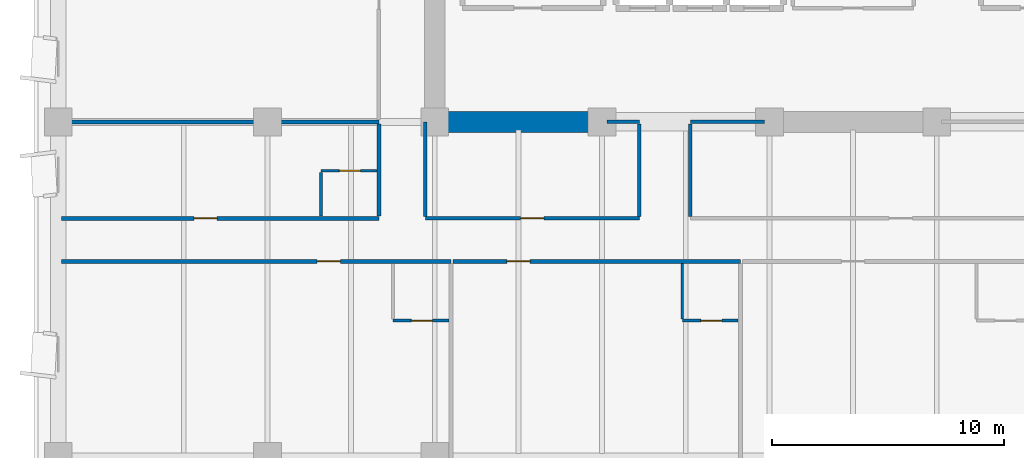
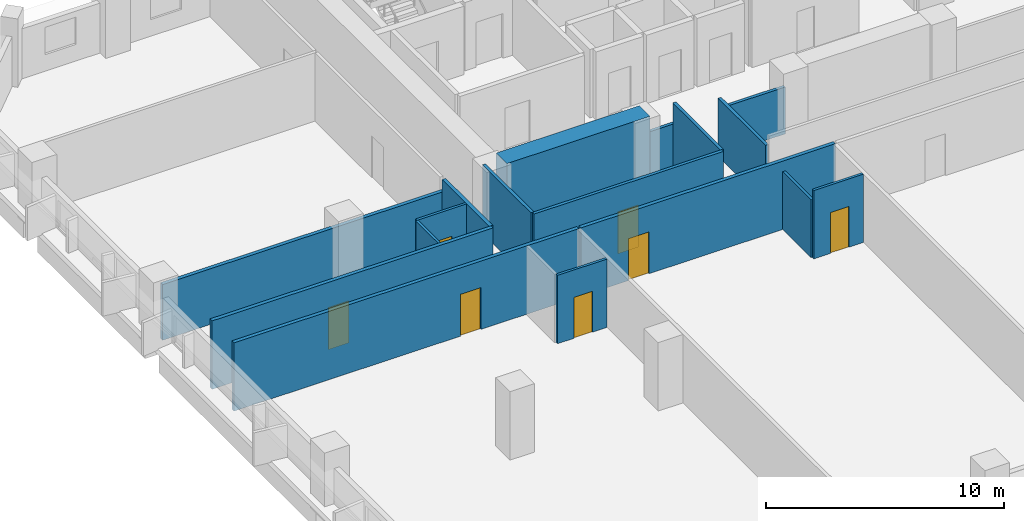
# One storey, part 4 of 15: 17 walls, 7 doors, 7 openings.
"""IFC4 building model written with IfcOpenShell, lengths in metres."""

from ifc_helpers import new_model, si_unit, direction, frame, frame_2d, origin, place, context, subcontext, project, spatial, rectangle, extrude, material, layer, layer_set, type_object, element, fill, save


model = new_model("IFC4")

# Units and contexts
model_context = context("Model", 3, precision=1e-05, world=origin(), true_north=direction((0.0, 1.0)))
body_context = subcontext(model_context, "Body", "Model", "MODEL_VIEW")
ifc_project = project(units=[si_unit("LENGTHUNIT", "METRE"), si_unit("AREAUNIT", "SQUARE_METRE"), si_unit("VOLUMEUNIT", "CUBIC_METRE"), si_unit("PLANEANGLEUNIT", "RADIAN"), si_unit("MASSUNIT", "GRAM", prefix="KILO")], contexts=[model_context])

# Site, building, storey
site_placement = place(None, origin())
site = spatial("IfcSite", under=ifc_project, at=site_placement, CompositionType="ELEMENT")
building_placement = place(site_placement, origin())
building = spatial("IfcBuilding", under=site, at=building_placement, Name="Kaelvorn Grand Hotel", CompositionType="ELEMENT")
storey_placement = place(building_placement, frame((0.0, 0.0, 111.800048828125)))
storey = spatial("IfcBuildingStorey", under=building, at=storey_placement, Name="L26", CompositionType="ELEMENT", Elevation=111.800048828125)

# Wall
ifc_material_1 = material(Name="Concrete C60/75", Category="concrete")
ifc_layer_1 = layer(ifc_material_1, 0.89990234375)
ifc_layer_set_1 = layer_set([ifc_layer_1], Name="Concrete C60/75")
wall_type_1 = type_object("IfcWallType", Name="WL-CORE-900-C60", PredefinedType="SHEAR", material=ifc_layer_set_1)
wall_1_placement = place(storey_placement, frame((16.655029296875, 29.39990234375, 0.0), z_axis=(0.0, 0.0, 1.0), x_axis=(1.0, 0.0, 0.0)))
element("IfcWall", 1, at=wall_1_placement, inside=storey, type_object=wall_type_1, Name="L26 Rear-Core Coupled Shear Pier S1", PredefinedType="SHEAR", context=body_context, shape_type="SweptSolid", body=[
    extrude(rectangle(XDim=6.945068359375, YDim=0.89990234375, at=frame_2d((3.47265625, 0.0))), origin(), (0.0, 0.0, 1.0), 3.510009765625),
])

# Wall, opening, door
ifc_material_2 = material(Name="Moisture-Resistant Tile & Stud Board")
ifc_layer_2 = layer(ifc_material_2, 0.125)
ifc_layer_set_2 = layer_set([ifc_layer_2], Name="Moisture-Resistant Tile & Stud Board")
wall_type_2 = type_object("IfcWallType", Name="WL-PART-125-WET", PredefinedType="PARTITIONING", material=ifc_layer_set_2)
wall_2_placement = place(storey_placement, frame((14.399658203125, 20.85009765625, 0.0), z_axis=(0.0, 0.0, 1.0), x_axis=(1.0, 0.0, 0.0)))
wall_2 = element("IfcWall", 2, at=wall_2_placement, inside=storey, type_object=wall_type_2, Name="L26 En-suite Bathroom L26-01 S Partition", PredefinedType="PARTITIONING", context=body_context, shape_type="SweptSolid", body=[
    extrude(rectangle(XDim=2.405029296875, YDim=0.125, at=frame_2d((1.20263671875, 0.0))), origin(), (0.0, 0.0, 1.0), 3.510009765625),
])
opening_1_placement = place(wall_2_placement, frame((0.800048828125, 0.0, 0.0)))
opening_1 = element("IfcOpeningElement", 3, at=opening_1_placement, cuts=wall_2, Name="Opening DI4", PredefinedType="OPENING", context=body_context, shape_type="SweptSolid", body=[
    extrude(rectangle(XDim=0.89990234375, YDim=2.10009765625, at=frame_2d((0.449951171875, 1.050048828125))), frame((0.0, 0.072509765625, 0.0), z_axis=(0.0, -1.0, 0.0), x_axis=(1.0, 0.0, 0.0)), (0.0, 0.0, 1.0), 0.14501953125),
])
ifc_material_3 = material(Name="Timber Veneer Leaf", Category="wood")
door_type_1 = type_object("IfcDoorType", Name="DR-INT-BATH-900x2100", OperationType="NOTDEFINED", PredefinedType="DOOR", material=ifc_material_3)
door_1_placement = place(opening_1_placement, origin())
door_1 = element("IfcDoor", 4, at=door_1_placement, inside=storey, type_object=door_type_1, Name="L26 En-suite Bathroom L26-01 Door", OperationType="SINGLE_SWING_LEFT", OverallHeight=2.10009765625, OverallWidth=0.89990234375, PredefinedType="DOOR", context=body_context, shape_type="SweptSolid", body=[
    extrude(rectangle(XDim=0.89990234375, YDim=2.10009765625, at=frame_2d((0.449951171875, 1.050048828125))), frame((0.0, 0.02490234375, 0.0), z_axis=(0.0, -1.0, 0.0), x_axis=(1.0, 0.0, 0.0)), (0.0, 0.0, 1.0), 0.050048828125),
])
fill(opening_1, door_1)

wall_3_placement = place(storey_placement, frame((26.849609375, 20.85009765625, 0.0), z_axis=(0.0, 0.0, 1.0), x_axis=(1.0, 0.0, 0.0)))
wall_3 = element("IfcWall", 5, at=wall_3_placement, inside=storey, type_object=wall_type_2, Name="L26 En-suite Bathroom L26-02 S Partition", PredefinedType="PARTITIONING", context=body_context, shape_type="SweptSolid", body=[
    extrude(rectangle(XDim=2.40478515625, YDim=0.125, at=frame_2d((1.202392578125, 0.0))), origin(), (0.0, 0.0, 1.0), 3.510009765625),
])
opening_2_placement = place(wall_3_placement, frame((0.800048828125, 0.0, 0.0)))
opening_2 = element("IfcOpeningElement", 6, at=opening_2_placement, cuts=wall_3, Name="Opening DI4", PredefinedType="OPENING", context=body_context, shape_type="SweptSolid", body=[
    extrude(rectangle(XDim=0.89990234375, YDim=2.10009765625, at=frame_2d((0.449951171875, 1.050048828125))), frame((0.0, 0.072509765625, 0.0), z_axis=(0.0, -1.0, 0.0), x_axis=(1.0, 0.0, 0.0)), (0.0, 0.0, 1.0), 0.14501953125),
])
door_2_placement = place(opening_2_placement, origin())
door_2 = element("IfcDoor", 7, at=door_2_placement, inside=storey, type_object=door_type_1, Name="L26 En-suite Bathroom L26-02 Door", OperationType="SINGLE_SWING_LEFT", OverallHeight=2.10009765625, OverallWidth=0.89990234375, PredefinedType="DOOR", context=body_context, shape_type="SweptSolid", body=[
    extrude(rectangle(XDim=0.89990234375, YDim=2.10009765625, at=frame_2d((0.449951171875, 1.050048828125))), frame((0.0, 0.02490234375, 0.0), z_axis=(0.0, -1.0, 0.0), x_axis=(1.0, 0.0, 0.0)), (0.0, 0.0, 1.0), 0.050048828125),
])
fill(opening_2, door_2)

# Wall
wall_4_placement = place(storey_placement, frame((26.849609375, 20.91748046875, 0.0), z_axis=(0.0, 0.0, 1.0), x_axis=(0.0, 1.0, 0.0)))
element("IfcWall", 8, at=wall_4_placement, inside=storey, type_object=wall_type_2, Name="L26 En-suite Bathroom L26-02 W Partition", PredefinedType="PARTITIONING", context=body_context, shape_type="SweptSolid", body=[
    extrude(rectangle(XDim=2.387451171875, YDim=0.125, at=frame_2d((1.19384765625, 0.0))), origin(), (0.0, 0.0, 1.0), 2.976806640625),
])

# Wall, opening, door
wall_5_placement = place(storey_placement, frame((11.300048828125, 27.300048828125, 0.0), z_axis=(0.0, 0.0, 1.0), x_axis=(1.0, 0.0, 0.0)))
wall_5 = element("IfcWall", 9, at=wall_5_placement, inside=storey, type_object=wall_type_2, Name="L26 En-suite Bathroom L26-07 N Partition", PredefinedType="PARTITIONING", context=body_context, shape_type="SweptSolid", body=[
    extrude(rectangle(XDim=2.405029296875, YDim=0.125, at=frame_2d((1.20263671875, 0.0))), origin(), (0.0, 0.0, 1.0), 3.510009765625),
])
opening_3_placement = place(wall_5_placement, frame((0.800048828125, 0.0, 0.0)))
opening_3 = element("IfcOpeningElement", 10, at=opening_3_placement, cuts=wall_5, Name="Opening DI4", PredefinedType="OPENING", context=body_context, shape_type="SweptSolid", body=[
    extrude(rectangle(XDim=0.89990234375, YDim=2.10009765625, at=frame_2d((0.449951171875, 1.050048828125))), frame((0.0, 0.072509765625, 0.0), z_axis=(0.0, -1.0, 0.0), x_axis=(1.0, 0.0, 0.0)), (0.0, 0.0, 1.0), 0.14501953125),
])
door_3_placement = place(opening_3_placement, origin())
door_3 = element("IfcDoor", 11, at=door_3_placement, inside=storey, type_object=door_type_1, Name="L26 En-suite Bathroom L26-07 Door", OperationType="SINGLE_SWING_LEFT", OverallHeight=2.10009765625, OverallWidth=0.89990234375, PredefinedType="DOOR", context=body_context, shape_type="SweptSolid", body=[
    extrude(rectangle(XDim=0.89990234375, YDim=2.10009765625, at=frame_2d((0.449951171875, 1.050048828125))), frame((0.0, 0.02490234375, 0.0), z_axis=(0.0, -1.0, 0.0), x_axis=(1.0, 0.0, 0.0)), (0.0, 0.0, 1.0), 0.050048828125),
])
fill(opening_3, door_3)

# Wall
wall_6_placement = place(storey_placement, frame((11.300048828125, 25.344970703125, 0.0), z_axis=(0.0, 0.0, 1.0), x_axis=(0.0, 1.0, 0.0)))
element("IfcWall", 12, at=wall_6_placement, inside=storey, type_object=wall_type_2, Name="L26 En-suite Bathroom L26-07 W Partition", PredefinedType="PARTITIONING", context=body_context, shape_type="SweptSolid", body=[
    extrude(rectangle(XDim=1.887451171875, YDim=0.125, at=frame_2d((0.94384765625, 0.0))), origin(), (0.0, 0.0, 1.0), 3.510009765625),
])

# Wall, opening, door
ifc_material_4 = material(Name="Acoustic Gypsum & Stud Partition")
ifc_layer_3 = layer(ifc_material_4, 0.14990234375)
ifc_layer_set_3 = layer_set([ifc_layer_3], Name="Acoustic Gypsum & Stud Partition")
wall_type_3 = type_object("IfcWallType", Name="WL-PART-150-EI60", PredefinedType="PARTITIONING", material=ifc_layer_set_3)
wall_7_placement = place(storey_placement, frame((15.800048828125, 25.25, 0.0), z_axis=(0.0, 0.0, 1.0), x_axis=(1.0, 0.0, 0.0)))
wall_7 = element("IfcWall", 13, at=wall_7_placement, inside=storey, type_object=wall_type_3, Name="L26 Botanical Conservatory Salon S Partition", PredefinedType="PARTITIONING", context=body_context, shape_type="SweptSolid", body=[
    extrude(rectangle(XDim=9.199951171875, YDim=0.14990234375, at=frame_2d((4.60009765625, 0.0))), origin(), (0.0, 0.0, 1.0), 3.510009765625),
])
opening_4_placement = place(wall_7_placement, frame((4.10009765625, 0.0, 0.0)))
opening_4 = element("IfcOpeningElement", 14, at=opening_4_placement, cuts=wall_7, Name="Opening DI3", PredefinedType="OPENING", context=body_context, shape_type="SweptSolid", body=[
    extrude(rectangle(XDim=1.0, YDim=2.14990234375, at=frame_2d((0.5, 1.074951171875))), frame((0.0, 0.0849609375, 0.0), z_axis=(0.0, -1.0, 0.0), x_axis=(1.0, 0.0, 0.0)), (0.0, 0.0, 1.0), 0.169921875),
])
ifc_material_5 = material(Name="Timber Veneer Fire Leaf", Category="wood")
door_type_2 = type_object("IfcDoorType", Name="DR-INT-GUEST-1000x2150", OperationType="NOTDEFINED", PredefinedType="DOOR", material=ifc_material_5)
door_4_placement = place(opening_4_placement, origin())
door_4 = element("IfcDoor", 15, at=door_4_placement, inside=storey, type_object=door_type_2, Name="L26 Botanical Conservatory Salon Door", OperationType="SINGLE_SWING_RIGHT", OverallHeight=2.14990234375, OverallWidth=1.0, PredefinedType="DOOR", context=body_context, shape_type="SweptSolid", body=[
    extrude(rectangle(XDim=1.0, YDim=2.14990234375, at=frame_2d((0.5, 1.074951171875))), frame((0.0, 0.02490234375, 0.0), z_axis=(0.0, -1.0, 0.0), x_axis=(1.0, 0.0, 0.0)), (0.0, 0.0, 1.0), 0.050048828125),
])
fill(opening_4, door_4)

# Walls
wall_8_placement = place(storey_placement, frame((23.610107421875, 29.39990234375, 0.0), z_axis=(0.0, 0.0, 1.0), x_axis=(1.0, 0.0, 0.0)))
element("IfcWall", 16, at=wall_8_placement, inside=storey, type_object=wall_type_3, Name="L26 Botanical Conservatory Salon N Partition", PredefinedType="PARTITIONING", context=body_context, shape_type="SweptSolid", body=[
    extrude(rectangle(XDim=1.389892578125, YDim=0.14990234375, at=frame_2d((0.69482421875, 0.0))), origin(), (0.0, 0.0, 1.0), 2.409912109375),
])
wall_9_placement = place(storey_placement, frame((15.800048828125, 25.330078125, 0.0), z_axis=(0.0, 0.0, 1.0), x_axis=(0.0, 1.0, 0.0)))
element("IfcWall", 17, at=wall_9_placement, inside=storey, type_object=wall_type_3, Name="L26 Botanical Conservatory Salon W Partition", PredefinedType="PARTITIONING", context=body_context, shape_type="SweptSolid", body=[
    extrude(rectangle(XDim=4.059814453125, YDim=0.14990234375, at=frame_2d((2.02978515625, 0.0))), origin(), (0.0, 0.0, 1.0), 3.510009765625),
])
wall_10_placement = place(storey_placement, frame((25.0, 25.330078125, 0.0), z_axis=(0.0, 0.0, 1.0), x_axis=(0.0, 1.0, 0.0)))
element("IfcWall", 18, at=wall_10_placement, inside=storey, type_object=wall_type_3, Name="L26 Botanical Conservatory Salon E Partition", PredefinedType="PARTITIONING", context=body_context, shape_type="SweptSolid", body=[
    extrude(rectangle(XDim=3.989990234375, YDim=0.14990234375, at=frame_2d((1.9951171875, 0.0))), origin(), (0.0, 0.0, 1.0), 3.510009765625),
])
wall_11_placement = place(storey_placement, frame((27.199951171875, 29.39990234375, 0.0), z_axis=(0.0, 0.0, 1.0), x_axis=(1.0, 0.0, 0.0)))
element("IfcWall", 19, at=wall_11_placement, inside=storey, type_object=wall_type_3, Name="L26 Catering Servery Kitchen N Partition (1)", PredefinedType="PARTITIONING", context=body_context, shape_type="SweptSolid", body=[
    extrude(rectangle(XDim=3.18994140625, YDim=0.14990234375, at=frame_2d((1.594970703125, 0.0))), origin(), (0.0, 0.0, 1.0), 2.409912109375),
])
wall_12_placement = place(storey_placement, frame((27.199951171875, 25.330078125, 0.0), z_axis=(0.0, 0.0, 1.0), x_axis=(0.0, 1.0, 0.0)))
element("IfcWall", 20, at=wall_12_placement, inside=storey, type_object=wall_type_3, Name="L26 Catering Servery Kitchen W Partition", PredefinedType="PARTITIONING", context=body_context, shape_type="SweptSolid", body=[
    extrude(rectangle(XDim=3.989990234375, YDim=0.14990234375, at=frame_2d((1.9951171875, 0.0))), origin(), (0.0, 0.0, 1.0), 2.976806640625),
])

# Wall, opening, door
ifc_layer_4 = layer(ifc_material_4, 0.179931640625)
ifc_layer_set_4 = layer_set([ifc_layer_4], Name="Acoustic Gypsum & Stud Partition")
wall_type_4 = type_object("IfcWallType", Name="WL-PART-180-EI60", PredefinedType="PARTITIONING", material=ifc_layer_set_4)
wall_13_placement = place(storey_placement, frame((0.14990234375, 23.39990234375, 0.0), z_axis=(0.0, 0.0, 1.0), x_axis=(1.0, 0.0, 0.0)))
wall_13 = element("IfcWall", 21, at=wall_13_placement, inside=storey, type_object=wall_type_4, Name="L26 Presidential Sky Suite L26-01 N Partition", PredefinedType="PARTITIONING", context=body_context, shape_type="SweptSolid", body=[
    extrude(rectangle(XDim=16.749755859375, YDim=0.179931640625, at=frame_2d((8.375, 0.0))), origin(), (0.0, 0.0, 1.0), 3.510009765625),
])
opening_5_placement = place(wall_13_placement, frame((10.98974609375, 0.0, 0.0)))
opening_5 = element("IfcOpeningElement", 22, at=opening_5_placement, cuts=wall_13, Name="Opening DI3", PredefinedType="OPENING", context=body_context, shape_type="SweptSolid", body=[
    extrude(rectangle(XDim=1.0, YDim=2.14990234375, at=frame_2d((0.5, 1.074951171875))), frame((0.0, 0.10009765625, 0.0), z_axis=(0.0, -1.0, 0.0), x_axis=(1.0, 0.0, 0.0)), (0.0, 0.0, 1.0), 0.199951171875),
])
door_5_placement = place(opening_5_placement, origin())
door_5 = element("IfcDoor", 23, at=door_5_placement, inside=storey, type_object=door_type_2, Name="L26 Presidential Sky Suite L26-01 Door", OperationType="SINGLE_SWING_RIGHT", OverallHeight=2.14990234375, OverallWidth=1.0, PredefinedType="DOOR", context=body_context, shape_type="SweptSolid", body=[
    extrude(rectangle(XDim=1.0, YDim=2.14990234375, at=frame_2d((0.5, 1.074951171875))), frame((0.0, 0.02490234375, 0.0), z_axis=(0.0, -1.0, 0.0), x_axis=(1.0, 0.0, 0.0)), (0.0, 0.0, 1.0), 0.050048828125),
])
fill(opening_5, door_5)

wall_14_placement = place(storey_placement, frame((16.99462890625, 23.39990234375, 0.0), z_axis=(0.0, 0.0, 1.0), x_axis=(1.0, 0.0, 0.0)))
wall_14 = element("IfcWall", 24, at=wall_14_placement, inside=storey, type_object=wall_type_4, Name="L26 Presidential Sky Suite L26-02 N Partition", PredefinedType="PARTITIONING", context=body_context, shape_type="SweptSolid", body=[
    extrude(rectangle(XDim=12.35498046875, YDim=0.179931640625, at=frame_2d((6.177490234375, 0.0))), origin(), (0.0, 0.0, 1.0), 3.510009765625),
])
opening_6_placement = place(wall_14_placement, frame((2.305419921875, 0.0, 0.0)))
opening_6 = element("IfcOpeningElement", 25, at=opening_6_placement, cuts=wall_14, Name="Opening DI3", PredefinedType="OPENING", context=body_context, shape_type="SweptSolid", body=[
    extrude(rectangle(XDim=1.0, YDim=2.14990234375, at=frame_2d((0.5, 1.074951171875))), frame((0.0, 0.10009765625, 0.0), z_axis=(0.0, -1.0, 0.0), x_axis=(1.0, 0.0, 0.0)), (0.0, 0.0, 1.0), 0.199951171875),
])
door_6_placement = place(opening_6_placement, origin())
door_6 = element("IfcDoor", 26, at=door_6_placement, inside=storey, type_object=door_type_2, Name="L26 Presidential Sky Suite L26-02 Door", OperationType="SINGLE_SWING_RIGHT", OverallHeight=2.14990234375, OverallWidth=1.0, PredefinedType="DOOR", context=body_context, shape_type="SweptSolid", body=[
    extrude(rectangle(XDim=1.0, YDim=2.14990234375, at=frame_2d((0.5, 1.074951171875))), frame((0.0, 0.02490234375, 0.0), z_axis=(0.0, -1.0, 0.0), x_axis=(1.0, 0.0, 0.0)), (0.0, 0.0, 1.0), 0.050048828125),
])
fill(opening_6, door_6)

wall_15_placement = place(storey_placement, frame((0.14990234375, 25.25, 0.0), z_axis=(0.0, 0.0, 1.0), x_axis=(1.0, 0.0, 0.0)))
wall_15 = element("IfcWall", 27, at=wall_15_placement, inside=storey, type_object=wall_type_4, Name="L26 West Chamfer Corner Suite L26-07 S Partition", PredefinedType="PARTITIONING", context=body_context, shape_type="SweptSolid", body=[
    extrude(rectangle(XDim=13.650146484375, YDim=0.179931640625, at=frame_2d((6.8251953125, 0.0))), origin(), (0.0, 0.0, 1.0), 3.510009765625),
])
opening_7_placement = place(wall_15_placement, frame((5.68505859375, 0.0, 0.0)))
opening_7 = element("IfcOpeningElement", 28, at=opening_7_placement, cuts=wall_15, Name="Opening DI3", PredefinedType="OPENING", context=body_context, shape_type="SweptSolid", body=[
    extrude(rectangle(XDim=1.0, YDim=2.14990234375, at=frame_2d((0.5, 1.074951171875))), frame((0.0, 0.10009765625, 0.0), z_axis=(0.0, -1.0, 0.0), x_axis=(1.0, 0.0, 0.0)), (0.0, 0.0, 1.0), 0.199951171875),
])
door_7_placement = place(opening_7_placement, origin())
door_7 = element("IfcDoor", 29, at=door_7_placement, inside=storey, type_object=door_type_2, Name="L26 West Chamfer Corner Suite L26-07 Door", OperationType="SINGLE_SWING_RIGHT", OverallHeight=2.14990234375, OverallWidth=1.0, PredefinedType="DOOR", context=body_context, shape_type="SweptSolid", body=[
    extrude(rectangle(XDim=1.0, YDim=2.14990234375, at=frame_2d((0.5, 1.074951171875))), frame((0.0, 0.02490234375, 0.0), z_axis=(0.0, -1.0, 0.0), x_axis=(1.0, 0.0, 0.0)), (0.0, 0.0, 1.0), 0.050048828125),
])
fill(opening_7, door_7)

# Walls
wall_16_placement = place(storey_placement, frame((0.14990234375, 29.39990234375, 0.0), z_axis=(0.0, 0.0, 1.0), x_axis=(1.0, 0.0, 0.0)))
element("IfcWall", 30, at=wall_16_placement, inside=storey, type_object=wall_type_4, Name="L26 West Chamfer Corner Suite L26-07 N Partition", PredefinedType="PARTITIONING", context=body_context, shape_type="SweptSolid", body=[
    extrude(rectangle(XDim=13.650146484375, YDim=0.179931640625, at=frame_2d((6.8251953125, 0.0))), origin(), (0.0, 0.0, 1.0), 2.85986328125),
])
wall_17_placement = place(storey_placement, frame((13.800048828125, 25.344970703125, 0.0), z_axis=(0.0, 0.0, 1.0), x_axis=(0.0, 1.0, 0.0)))
element("IfcWall", 31, at=wall_17_placement, inside=storey, type_object=wall_type_4, Name="L26 West Chamfer Corner Suite L26-07 E Partition", PredefinedType="PARTITIONING", context=body_context, shape_type="SweptSolid", body=[
    extrude(rectangle(XDim=3.9599609375, YDim=0.179931640625, at=frame_2d((1.97998046875, 0.0))), origin(), (0.0, 0.0, 1.0), 3.510009765625),
])

save(model, "model.ifc")
